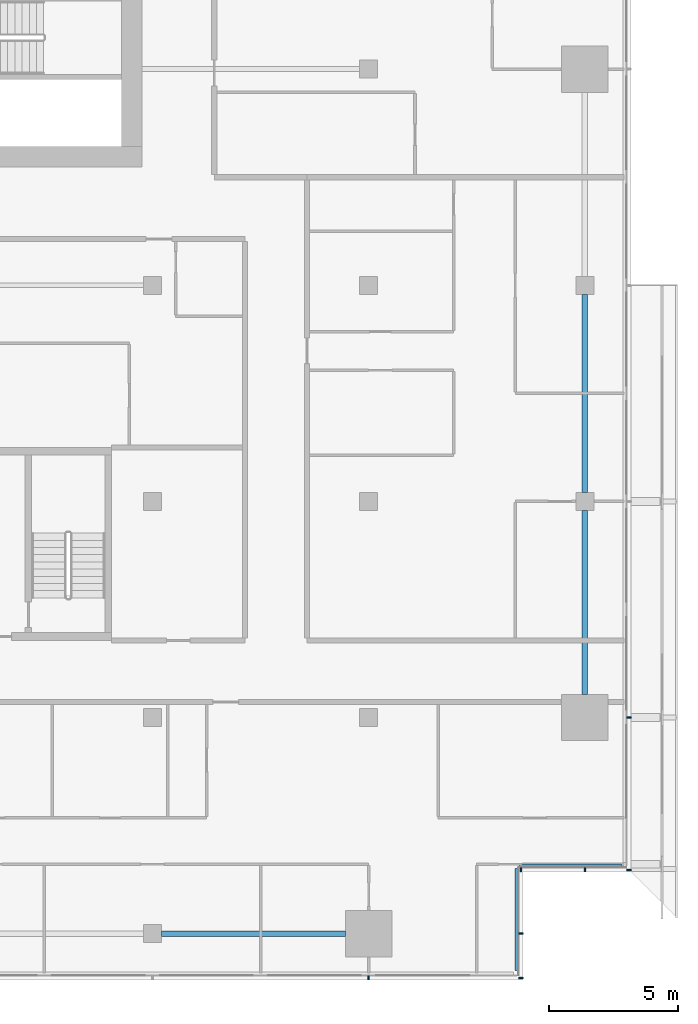
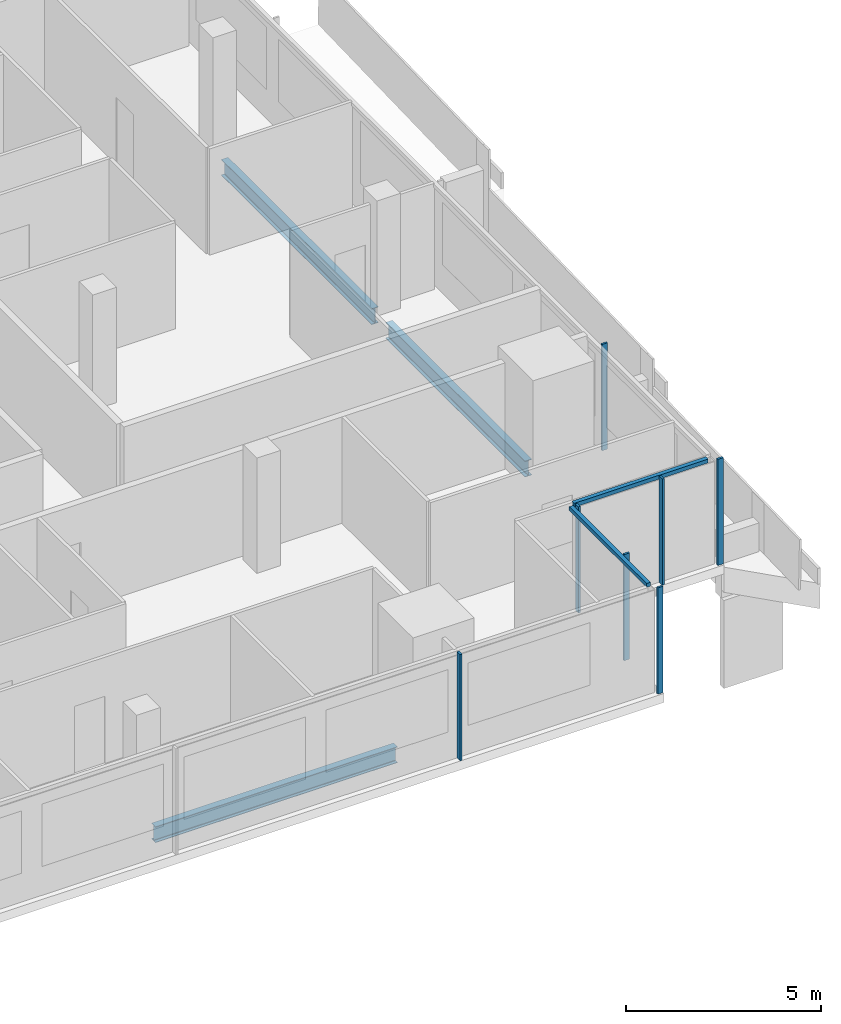
# One storey, part 10 of 27: 9 members, 3 beams, 4 elements without a shape of their own.
"""IFC4 building model written with IfcOpenShell, lengths in metres."""

from ifc_helpers import new_model, si_unit, direction, frame, origin, origin_2d, place, context, subcontext, project, spatial, rectangle, i_section, extrude, material, material_profile, profile_set, type_object, element, aggregate, save


model = new_model("IFC4")

# Units and contexts
model_context = context("Model", 3, precision=1e-05, world=origin(), true_north=direction((0.0, 1.0)))
body_context = subcontext(model_context, "Body", "Model", "MODEL_VIEW")
ifc_project = project(units=[si_unit("LENGTHUNIT", "METRE"), si_unit("AREAUNIT", "SQUARE_METRE"), si_unit("VOLUMEUNIT", "CUBIC_METRE"), si_unit("PLANEANGLEUNIT", "RADIAN"), si_unit("MASSUNIT", "GRAM", prefix="KILO")], contexts=[model_context])

# Site, building, storey
site_placement = place(None, origin())
site = spatial("IfcSite", under=ifc_project, at=site_placement, CompositionType="ELEMENT")
building_placement = place(site_placement, origin())
building = spatial("IfcBuilding", under=site, at=building_placement, Name="Saffron Gate Tower", CompositionType="ELEMENT")
storey_placement = place(building_placement, frame((0.0, 0.0, 183.449951171875)))
storey = spatial("IfcBuildingStorey", under=building, at=storey_placement, Name="L45", CompositionType="ELEMENT", Elevation=183.449951171875)

# Beams
ifc_material_1 = material(Name="Structural steel S355", Category="steel")
ifc_material_profile_1 = material_profile(ifc_material_1, i_section(OverallWidth=0.199951171875, OverallDepth=0.5, WebThickness=0.01025390625, FlangeThickness=0.01611328125, FilletRadius=0.02099609375, at=origin_2d()))
ifc_profile_set_1 = profile_set([ifc_material_profile_1], Name="Structural steel S355")
beam_type = type_object("IfcBeamType", Name="B11 IPE 500", PredefinedType="SPANDREL", material=ifc_profile_set_1)
beam_1_placement = place(storey_placement, frame((108.949951171875, 31.800048828125, -0.530029296875), z_axis=(1.0, 0.0, 0.0), x_axis=(0.0, 1.0, 0.0)))
element("IfcBeam", 1, at=beam_1_placement, inside=storey, type_object=beam_type, Name="B11 SPANDREL BEAM", PredefinedType="SPANDREL", context=body_context, shape_type="SweptSolid", body=[
    extrude(i_section(OverallWidth=0.199951171875, OverallDepth=0.5, WebThickness=0.01025390625, FlangeThickness=0.01611328125, FilletRadius=0.02099609375, at=origin_2d()), origin(), (0.0, 0.0, 1.0), 7.150146484375),
])
beam_2_placement = place(storey_placement, frame((125.39990234375, 41.10009765625, -0.530029296875), z_axis=(0.0, 1.0, 0.0), x_axis=(-1.0, 0.0, 0.0)))
element("IfcBeam", 2, at=beam_2_placement, inside=storey, type_object=beam_type, Name="B11 SPANDREL BEAM", PredefinedType="SPANDREL", context=body_context, shape_type="SweptSolid", body=[
    extrude(i_section(OverallWidth=0.199951171875, OverallDepth=0.5, WebThickness=0.01025390625, FlangeThickness=0.01611328125, FilletRadius=0.02099609375, at=origin_2d()), origin(), (0.0, 0.0, 1.0), 7.14990234375),
])
beam_3_placement = place(storey_placement, frame((125.39990234375, 48.949951171875, -0.530029296875), z_axis=(0.0, 1.0, 0.0), x_axis=(-1.0, 0.0, 0.0)))
element("IfcBeam", 3, at=beam_3_placement, inside=storey, type_object=beam_type, Name="B11 SPANDREL BEAM", PredefinedType="SPANDREL", context=body_context, shape_type="SweptSolid", body=[
    extrude(i_section(OverallWidth=0.199951171875, OverallDepth=0.5, WebThickness=0.01025390625, FlangeThickness=0.01611328125, FilletRadius=0.02099609375, at=origin_2d()), origin(), (0.0, 0.0, 1.0), 7.699951171875),
])

# Curtain wall, member
ifc_material_2 = material(Name="Aluminium, bronze anodised", Category="aluminium")
curtain_wall_type_1 = type_object("IfcCurtainWallType", Name="CWS1 curtain wall front facade", PredefinedType="NOTDEFINED", material=ifc_material_2)
curtain_wall_1_placement = place(storey_placement, origin())
curtain_wall_1 = element("IfcCurtainWall", 4, at=curtain_wall_1_placement, inside=storey, type_object=curtain_wall_type_1, Name="CWS1 run 1", PredefinedType="NOTDEFINED")
ifc_material_profile_2 = material_profile(ifc_material_2, rectangle(XDim=0.159912109375, YDim=0.06005859375, at=origin_2d()))
ifc_profile_set_2 = profile_set([ifc_material_profile_2], Name="Aluminium, bronze anodised")
member_type_1 = type_object("IfcMemberType", Name="CWS1 mullion 60x160", PredefinedType="MULLION", material=ifc_profile_set_2)
member_1_placement = place(storey_placement, frame((117.0, 30.080078125, 0.0), z_axis=(0.0, 0.0, 1.0), x_axis=(0.0, 1.0, 0.0)))
member_1 = element("IfcMember", 5, at=member_1_placement, type_object=member_type_1, Name="CWS1 mullion 9", PredefinedType="MULLION", context=body_context, shape_type="SweptSolid", body=[
    extrude(rectangle(XDim=0.159912109375, YDim=0.06005859375, at=origin_2d()), origin(), (0.0, 0.0, 1.0), 3.320068359375),
])
aggregate(curtain_wall_1, [member_1])

# Curtain wall, members
curtain_wall_type_2 = type_object("IfcCurtainWallType", Name="CWS2 curtain wall side facades", PredefinedType="NOTDEFINED", material=ifc_material_2)
curtain_wall_2_placement = place(storey_placement, origin())
curtain_wall_2 = element("IfcCurtainWall", 6, at=curtain_wall_2_placement, inside=storey, type_object=curtain_wall_type_2, Name="CWS2 run 4", PredefinedType="NOTDEFINED")
ifc_material_profile_3 = material_profile(ifc_material_2, rectangle(XDim=0.159912109375, YDim=0.06005859375, at=origin_2d()))
ifc_profile_set_3 = profile_set([ifc_material_profile_3], Name="Aluminium, bronze anodised")
member_type_2 = type_object("IfcMemberType", Name="CWS2 mullion 60x160", PredefinedType="MULLION", material=ifc_profile_set_3)
member_2_placement = place(storey_placement, frame((127.1201171875, 34.280029296875, 0.0), z_axis=(0.0, 0.0, 1.0), x_axis=(-1.0, 0.0, 0.0)))
member_2 = element("IfcMember", 7, at=member_2_placement, type_object=member_type_2, Name="CWS2 mullion 1", PredefinedType="MULLION", context=body_context, shape_type="SweptSolid", body=[
    extrude(rectangle(XDim=0.159912109375, YDim=0.06005859375, at=origin_2d()), origin(), (0.0, 0.0, 1.0), 3.320068359375),
])
member_3_placement = place(storey_placement, frame((127.1201171875, 40.199951171875, 0.0), z_axis=(0.0, 0.0, 1.0), x_axis=(-1.0, 0.0, 0.0)))
member_3 = element("IfcMember", 8, at=member_3_placement, type_object=member_type_2, Name="CWS2 mullion 2", PredefinedType="MULLION", context=body_context, shape_type="SweptSolid", body=[
    extrude(rectangle(XDim=0.159912109375, YDim=0.06005859375, at=origin_2d()), origin(), (0.0, 0.0, 1.0), 3.320068359375),
])
aggregate(curtain_wall_2, [member_2, member_3])

# Curtain wall, member
curtain_wall_type_3 = type_object("IfcCurtainWallType", Name="CWS4 curtain wall corner returns", PredefinedType="NOTDEFINED", material=ifc_material_2)
curtain_wall_3_placement = place(storey_placement, origin())
curtain_wall_3 = element("IfcCurtainWall", 9, at=curtain_wall_3_placement, inside=storey, type_object=curtain_wall_type_3, Name="CWS4 run 2", PredefinedType="NOTDEFINED")
ifc_material_profile_4 = material_profile(ifc_material_2, rectangle(XDim=0.1201171875, YDim=0.1201171875, at=origin_2d()))
ifc_profile_set_4 = profile_set([ifc_material_profile_4], Name="Aluminium, bronze anodised")
member_type_3 = type_object("IfcMemberType", Name="CWS4 head transom", PredefinedType="USERDEFINED", material=ifc_profile_set_4)
member_4_placement = place(storey_placement, frame((122.751953125, 30.367919921875, 3.260009765625), z_axis=(0.0, 1.0, 0.0), x_axis=(-1.0, 0.0, 0.0)))
member_4 = element("IfcMember", 10, at=member_4_placement, type_object=member_type_3, Name="CWS4 head transom", ObjectType="TRANSOM", PredefinedType="USERDEFINED", context=body_context, shape_type="SweptSolid", body=[
    extrude(rectangle(XDim=0.1201171875, YDim=0.1201171875, at=origin_2d()), origin(), (0.0, 0.0, 1.0), 3.9599609375),
])

curtain_wall_4_placement = place(storey_placement, origin())
curtain_wall_4 = element("IfcCurtainWall", 11, at=curtain_wall_4_placement, inside=storey, type_object=curtain_wall_type_3, Name="CWS4 run 3", PredefinedType="NOTDEFINED")
member_5_placement = place(storey_placement, frame((122.8720703125, 34.447998046875, 3.260009765625), z_axis=(1.0, 0.0, 0.0), x_axis=(0.0, 1.0, 0.0)))
member_5 = element("IfcMember", 12, at=member_5_placement, type_object=member_type_3, Name="CWS4 head transom", ObjectType="TRANSOM", PredefinedType="USERDEFINED", context=body_context, shape_type="SweptSolid", body=[
    extrude(rectangle(XDim=0.1201171875, YDim=0.1201171875, at=origin_2d()), origin(), (0.0, 0.0, 1.0), 3.9599609375),
])

# Member
ifc_material_profile_5 = material_profile(ifc_material_2, rectangle(XDim=0.159912109375, YDim=0.06005859375, at=origin_2d()))
ifc_profile_set_5 = profile_set([ifc_material_profile_5], Name="Aluminium, bronze anodised")
member_type_4 = type_object("IfcMemberType", Name="CWS4 mullion 60x160", PredefinedType="MULLION", material=ifc_profile_set_5)
member_6_placement = place(storey_placement, frame((122.919921875, 30.080078125, 0.0), z_axis=(0.0, 0.0, 1.0), x_axis=(-1.0, 0.0, 0.0)))
member_6 = element("IfcMember", 13, at=member_6_placement, type_object=member_type_4, Name="CWS4 mullion 1", PredefinedType="MULLION", context=body_context, shape_type="SweptSolid", body=[
    extrude(rectangle(XDim=0.159912109375, YDim=0.06005859375, at=origin_2d()), origin(), (0.0, 0.0, 1.0), 3.320068359375),
])

member_7_placement = place(storey_placement, frame((122.919921875, 31.800048828125, 0.0), z_axis=(0.0, 0.0, 1.0), x_axis=(-1.0, 0.0, 0.0)))
member_7 = element("IfcMember", 14, at=member_7_placement, type_object=member_type_4, Name="CWS4 mullion 2", PredefinedType="MULLION", context=body_context, shape_type="SweptSolid", body=[
    extrude(rectangle(XDim=0.159912109375, YDim=0.06005859375, at=origin_2d()), origin(), (0.0, 0.0, 1.0), 3.320068359375),
])

aggregate(curtain_wall_3, [member_6, member_7, member_4])

member_8_placement = place(storey_placement, frame((122.919921875, 34.280029296875, 0.0), z_axis=(0.0, 0.0, 1.0), x_axis=(0.0, 1.0, 0.0)))
member_8 = element("IfcMember", 15, at=member_8_placement, type_object=member_type_4, Name="CWS4 mullion 1", PredefinedType="MULLION", context=body_context, shape_type="SweptSolid", body=[
    extrude(rectangle(XDim=0.159912109375, YDim=0.06005859375, at=origin_2d()), origin(), (0.0, 0.0, 1.0), 3.320068359375),
])

member_9_placement = place(storey_placement, frame((125.39990234375, 34.280029296875, 0.0), z_axis=(0.0, 0.0, 1.0), x_axis=(0.0, 1.0, 0.0)))
member_9 = element("IfcMember", 16, at=member_9_placement, type_object=member_type_4, Name="CWS4 mullion 2", PredefinedType="MULLION", context=body_context, shape_type="SweptSolid", body=[
    extrude(rectangle(XDim=0.159912109375, YDim=0.06005859375, at=origin_2d()), origin(), (0.0, 0.0, 1.0), 3.320068359375),
])

aggregate(curtain_wall_4, [member_8, member_9, member_5])

save(model, "model.ifc")
